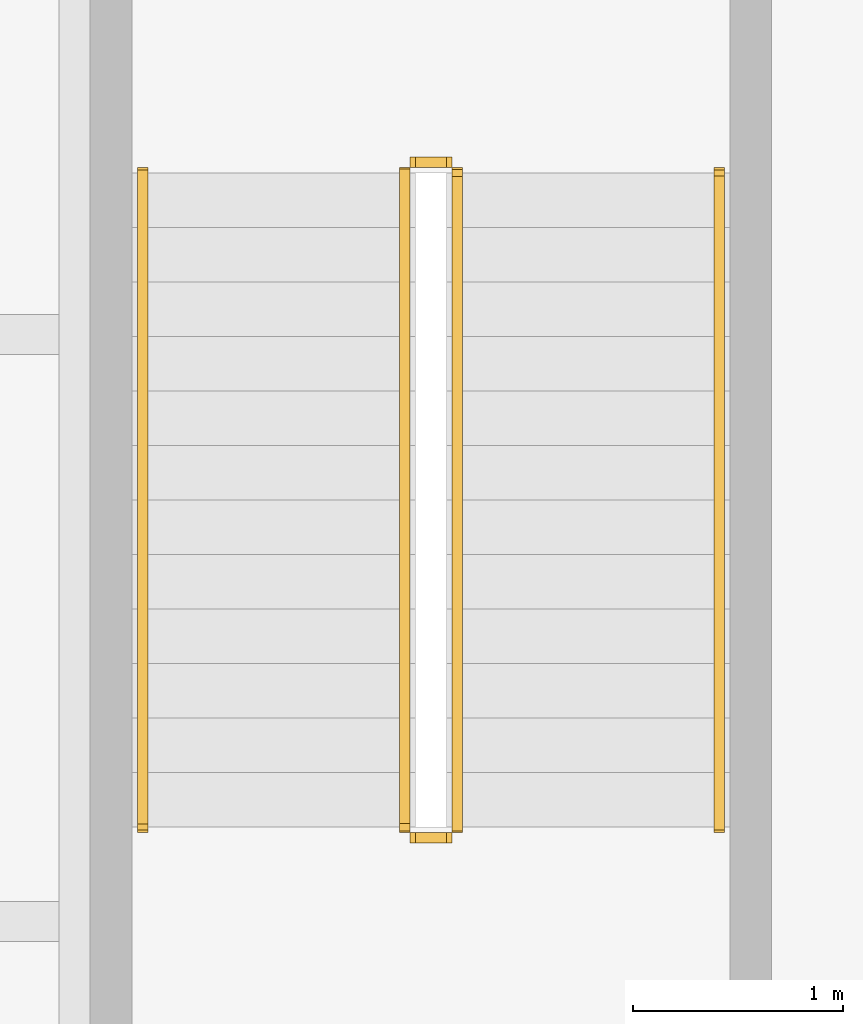
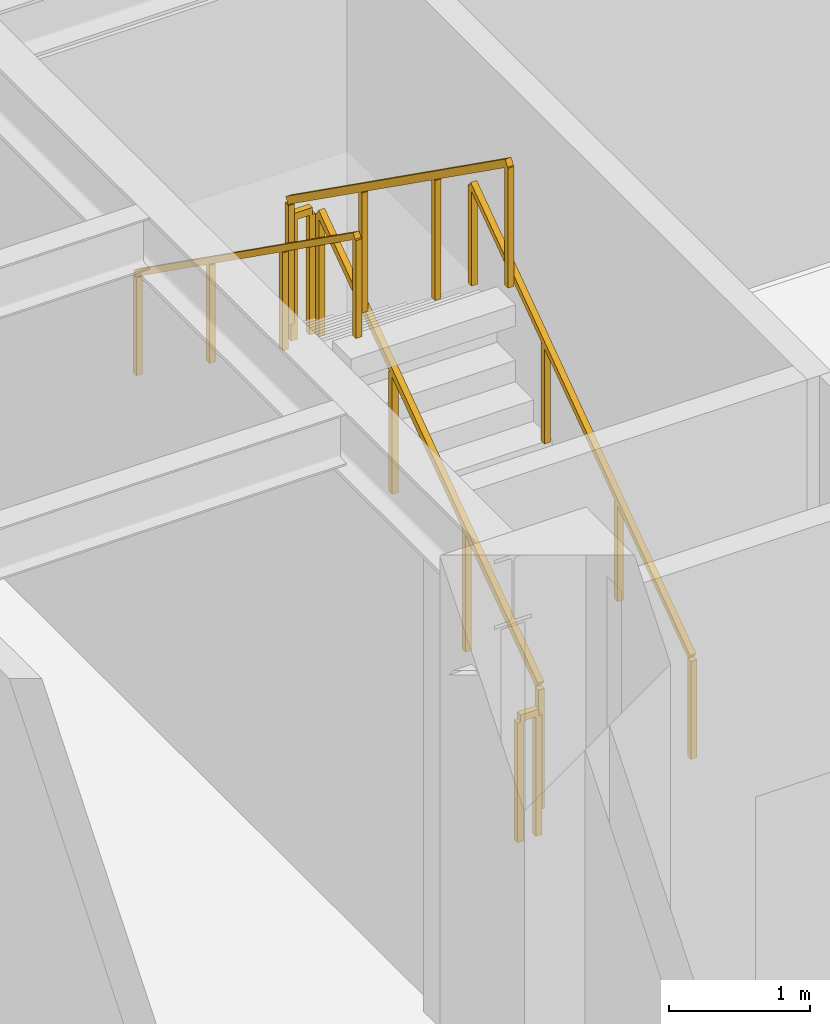
# One storey, part 51 of 53: 6 railings.
"""IFC4 building model written with IfcOpenShell, lengths in metres."""

from ifc_helpers import new_model, si_unit, direction, frame, origin, origin_2d, place, context, subcontext, project, spatial, rectangle, extrude, material, type_object, element, save


model = new_model("IFC4")

# Units and contexts
model_context = context("Model", 3, precision=1e-05, world=origin(), true_north=direction((0.0, 1.0)))
body_context = subcontext(model_context, "Body", "Model", "MODEL_VIEW")
ifc_project = project(units=[si_unit("LENGTHUNIT", "METRE"), si_unit("AREAUNIT", "SQUARE_METRE"), si_unit("VOLUMEUNIT", "CUBIC_METRE"), si_unit("PLANEANGLEUNIT", "RADIAN"), si_unit("MASSUNIT", "GRAM", prefix="KILO")], contexts=[model_context])

# Site, building, storey
site_placement = place(None, origin())
site = spatial("IfcSite", under=ifc_project, at=site_placement, CompositionType="ELEMENT")
building_placement = place(site_placement, origin())
building = spatial("IfcBuilding", under=site, at=building_placement, Name="Khepri Terraces", CompositionType="ELEMENT")
storey_placement = place(building_placement, frame((0.0, 0.0, 7.199951171875)))
storey = spatial("IfcBuildingStorey", under=building, at=storey_placement, Name="L01", CompositionType="ELEMENT", Elevation=7.199951171875)

# Railings
ifc_material = material(Name="Stainless steel 316", Category="steel")
railing_type_1 = type_object("IfcRailingType", Name="RL-POD-GUARD", PredefinedType="GUARDRAIL", material=ifc_material)
railing_1_placement = place(storey_placement, frame((-23.449951171875, 20.050048828125, 0.1845703125)))
element("IfcRailing", 1, at=railing_1_placement, inside=storey, type_object=railing_type_1, Name="L01 PS-2 stair guard 1", PredefinedType="GUARDRAIL", context=body_context, shape_type="SweptSolid", body=[
    extrude(rectangle(XDim=0.050048828125, YDim=0.06005859375, at=origin_2d()), frame((0.0, 0.0, 1.070068359375), z_axis=(0.0, 0.815325456587, 0.579002935952), x_axis=(-1.0, 0.0, 0.0)), (0.0, 0.0, 1.0), 3.826416015625),
    extrude(rectangle(XDim=0.050048828125, YDim=0.050048828125, at=origin_2d()), origin(), (0.0, 0.0, 1.0), 1.0400390625),
    extrude(rectangle(XDim=0.050048828125, YDim=0.050048828125, at=origin_2d()), frame((0.0, 1.0400390625, 0.738525390625)), (0.0, 0.0, 1.0), 1.0400390625),
    extrude(rectangle(XDim=0.050048828125, YDim=0.050048828125, at=origin_2d()), frame((0.0, 2.079833984375, 1.47705078125)), (0.0, 0.0, 1.0), 1.0400390625),
    extrude(rectangle(XDim=0.050048828125, YDim=0.050048828125, at=origin_2d()), frame((0.0, 3.119873046875, 2.215576171875)), (0.0, 0.0, 1.0), 1.0400390625),
])
railing_2_placement = place(storey_placement, frame((-23.5, 23.219970703125, 2.400146484375)))
element("IfcRailing", 2, at=railing_2_placement, inside=storey, type_object=railing_type_1, Name="L01 PS-2 stair guard 2", PredefinedType="GUARDRAIL", context=body_context, shape_type="SweptSolid", body=[
    extrude(rectangle(XDim=0.050048828125, YDim=0.06005859375, at=origin_2d()), frame((0.0, 0.0, 1.070068359375), z_axis=(-1.0, 0.0, 0.0), x_axis=(0.0, -1.0, 0.0)), (0.0, 0.0, 1.0), 0.14990234375),
    extrude(rectangle(XDim=0.050048828125, YDim=0.050048828125, at=origin_2d()), origin(), (0.0, 0.0, 1.0), 1.0400390625),
    extrude(rectangle(XDim=0.050048828125, YDim=0.050048828125, at=origin_2d()), frame((-0.14990234375, 0.0, 0.0)), (0.0, 0.0, 1.0), 1.0400390625),
])
railing_3_placement = place(storey_placement, frame((-23.699951171875, 23.169921875, 2.584716796875)))
element("IfcRailing", 3, at=railing_3_placement, inside=storey, type_object=railing_type_1, Name="L01 PS-2 stair guard 3", PredefinedType="GUARDRAIL", context=body_context, shape_type="SweptSolid", body=[
    extrude(rectangle(XDim=0.050048828125, YDim=0.06005859375, at=origin_2d()), frame((0.0, 0.0, 1.070068359375), z_axis=(0.0, -0.815355575968, 0.57896052088), x_axis=(1.0, 0.0, 0.0)), (0.0, 0.0, 1.0), 3.826416015625),
    extrude(rectangle(XDim=0.050048828125, YDim=0.050048828125, at=origin_2d()), origin(), (0.0, 0.0, 1.0), 1.0400390625),
    extrude(rectangle(XDim=0.050048828125, YDim=0.050048828125, at=origin_2d()), frame((0.0, -1.0400390625, 0.738525390625)), (0.0, 0.0, 1.0), 1.0400390625),
    extrude(rectangle(XDim=0.050048828125, YDim=0.050048828125, at=origin_2d()), frame((0.0, -2.079833984375, 1.476806640625)), (0.0, 0.0, 1.0), 1.0400390625),
    extrude(rectangle(XDim=0.050048828125, YDim=0.050048828125, at=origin_2d()), frame((0.0, -3.119873046875, 2.21533203125)), (0.0, 0.0, 1.0), 1.0400390625),
])
railing_4_placement = place(storey_placement, frame((-23.5, 20.0, 0.0)))
element("IfcRailing", 4, at=railing_4_placement, inside=storey, type_object=railing_type_1, Name="L01 PS-2 stair guard 4", PredefinedType="GUARDRAIL", context=body_context, shape_type="SweptSolid", body=[
    extrude(rectangle(XDim=0.050048828125, YDim=0.06005859375, at=origin_2d()), frame((0.0, 0.0, 1.070068359375), z_axis=(-1.0, 0.0, 0.0), x_axis=(0.0, -1.0, 0.0)), (0.0, 0.0, 1.0), 0.14990234375),
    extrude(rectangle(XDim=0.050048828125, YDim=0.050048828125, at=origin_2d()), origin(), (0.0, 0.0, 1.0), 1.0400390625),
    extrude(rectangle(XDim=0.050048828125, YDim=0.050048828125, at=origin_2d()), frame((-0.14990234375, 0.0, 0.0)), (0.0, 0.0, 1.0), 1.0400390625),
])
railing_type_2 = type_object("IfcRailingType", Name="RL-POD-HANDRAIL", PredefinedType="HANDRAIL", material=ifc_material)
railing_5_placement = place(storey_placement, frame((-22.199951171875, 20.050048828125, 0.1845703125)))
element("IfcRailing", 5, at=railing_5_placement, inside=storey, type_object=railing_type_2, Name="L01 PS-2 stair handrail 1", PredefinedType="HANDRAIL", context=body_context, shape_type="SweptSolid", body=[
    extrude(rectangle(XDim=0.050048828125, YDim=0.050048828125, at=origin_2d()), frame((0.0, 0.0, 0.875), z_axis=(0.0, 0.815325456587, 0.579002935952), x_axis=(-1.0, 0.0, 0.0)), (0.0, 0.0, 1.0), 3.826416015625),
    extrude(rectangle(XDim=0.050048828125, YDim=0.050048828125, at=origin_2d()), origin(), (0.0, 0.0, 1.0), 0.849853515625),
    extrude(rectangle(XDim=0.050048828125, YDim=0.050048828125, at=origin_2d()), frame((0.0, 1.0400390625, 0.738525390625)), (0.0, 0.0, 1.0), 0.849853515625),
    extrude(rectangle(XDim=0.050048828125, YDim=0.050048828125, at=origin_2d()), frame((0.0, 2.079833984375, 1.47705078125)), (0.0, 0.0, 1.0), 0.849853515625),
    extrude(rectangle(XDim=0.050048828125, YDim=0.050048828125, at=origin_2d()), frame((0.0, 3.119873046875, 2.215576171875)), (0.0, 0.0, 1.0), 0.849853515625),
])
railing_6_placement = place(storey_placement, frame((-24.949951171875, 23.169921875, 2.584716796875)))
element("IfcRailing", 6, at=railing_6_placement, inside=storey, type_object=railing_type_2, Name="L01 PS-2 stair handrail 2", PredefinedType="HANDRAIL", context=body_context, shape_type="SweptSolid", body=[
    extrude(rectangle(XDim=0.050048828125, YDim=0.050048828125, at=origin_2d()), frame((0.0, 0.0, 0.875), z_axis=(0.0, -0.815355575968, 0.57896052088), x_axis=(1.0, 0.0, 0.0)), (0.0, 0.0, 1.0), 3.826416015625),
    extrude(rectangle(XDim=0.050048828125, YDim=0.050048828125, at=origin_2d()), origin(), (0.0, 0.0, 1.0), 0.849853515625),
    extrude(rectangle(XDim=0.050048828125, YDim=0.050048828125, at=origin_2d()), frame((0.0, -1.0400390625, 0.738525390625)), (0.0, 0.0, 1.0), 0.849853515625),
    extrude(rectangle(XDim=0.050048828125, YDim=0.050048828125, at=origin_2d()), frame((0.0, -2.079833984375, 1.476806640625)), (0.0, 0.0, 1.0), 0.849853515625),
    extrude(rectangle(XDim=0.050048828125, YDim=0.050048828125, at=origin_2d()), frame((0.0, -3.119873046875, 2.21533203125)), (0.0, 0.0, 1.0), 0.849853515625),
])

save(model, "model.ifc")
